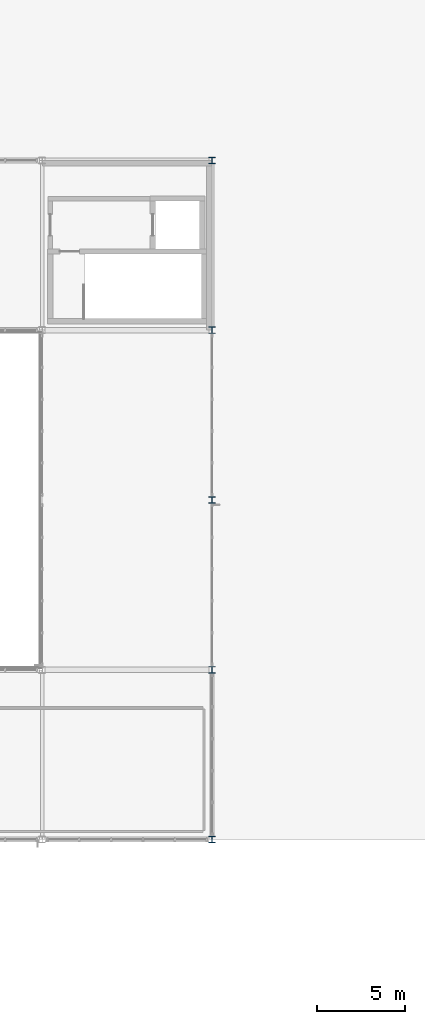
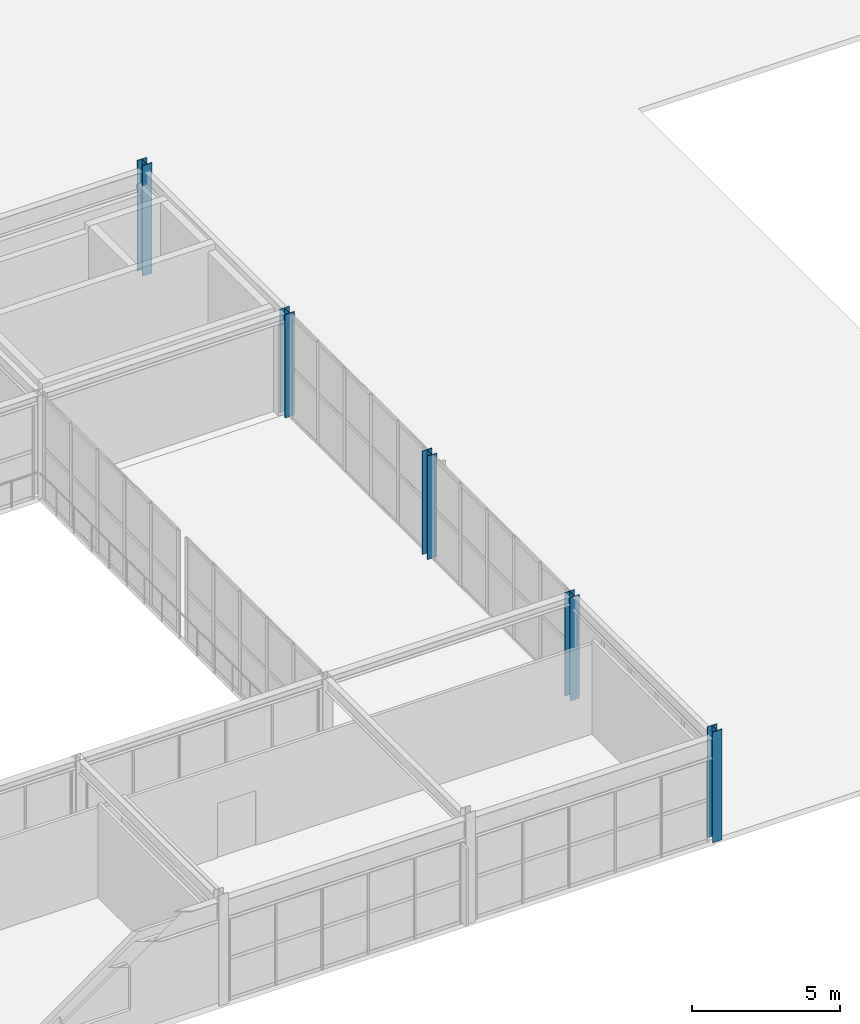
# One storey, part 14 of 170: 5 columns.
"""IFC4 building model written with IfcOpenShell, lengths in metres."""

from ifc_helpers import new_model, si_unit, direction, frame, origin, origin_2d, place, context, subcontext, project, spatial, i_section, extrude, material, material_profile, profile_set, type_object, element, save


model = new_model("IFC4")

# Units and contexts
model_context = context("Model", 3, precision=1e-05, world=origin(), true_north=direction((0.0, 1.0)))
body_context = subcontext(model_context, "Body", "Model", "MODEL_VIEW")
ifc_project = project(units=[si_unit("LENGTHUNIT", "METRE"), si_unit("AREAUNIT", "SQUARE_METRE"), si_unit("VOLUMEUNIT", "CUBIC_METRE"), si_unit("PLANEANGLEUNIT", "RADIAN"), si_unit("MASSUNIT", "GRAM", prefix="KILO")], contexts=[model_context])

# Site, building, storey
site_placement = place(None, origin())
site = spatial("IfcSite", under=ifc_project, at=site_placement, CompositionType="ELEMENT")
building_placement = place(site_placement, origin())
building = spatial("IfcBuilding", under=site, at=building_placement, Name="Coralgate Yard Interchange", CompositionType="ELEMENT")
storey_placement = place(building_placement, frame((0.0, 0.0, 6.0)))
storey = spatial("IfcBuildingStorey", under=building, at=storey_placement, Name="L01", CompositionType="ELEMENT", Elevation=6.0)

# Columns
ifc_material = material(Name="Structural steel S355J2", Category="steel")
ifc_material_profile = material_profile(ifc_material, i_section(OverallWidth=0.37255859375, OverallDepth=0.3681640625, WebThickness=0.014404296875, FlangeThickness=0.023681640625, FilletRadius=0.01513671875, at=origin_2d()), Name="UC 356x368x177")
ifc_profile_set = profile_set([ifc_material_profile], Name="Structural steel S355J2")
column_type = type_object("IfcColumnType", Name="COL-SC-3", PredefinedType="COLUMN", material=ifc_profile_set)
column_1_placement = place(storey_placement, frame((134.39990234375, 38.39990234375, 0.0), z_axis=(0.0, 0.0, 1.0), x_axis=(1.0, 0.0, 0.0)))
element("IfcColumn", 1, at=column_1_placement, inside=storey, type_object=column_type, Name="L01 structural column 14-4", PredefinedType="COLUMN", context=body_context, shape_type="SweptSolid", body=[
    extrude(i_section(OverallWidth=0.37255859375, OverallDepth=0.3681640625, WebThickness=0.014404296875, FlangeThickness=0.023681640625, FilletRadius=0.01513671875, at=origin_2d()), origin(), (0.0, 0.0, 1.0), 4.550048828125),
])
for number, where, z_axis, x_axis, name in (
    (2, (134.39990234375, 48.0, 0.0), (0.0, 0.0, 1.0), (1.0, 0.0, 0.0), "L01 structural column 14-5"),
    (3, (134.39990234375, 57.60009765625, 0.0), (0.0, 0.0, 1.0), (1.0, 0.0, 0.0), "L01 structural column 14-6"),
    (4, (134.39990234375, 67.199951171875, 0.0), (0.0, 0.0, 1.0), (1.0, 0.0, 0.0), "L01 structural column 14-7"),
):
    element("IfcColumn", number, at=place(storey_placement, frame(where, z_axis=z_axis, x_axis=x_axis)), inside=storey, type_object=column_type, Name=name, PredefinedType="COLUMN", context=body_context, shape_type="SweptSolid", body=[
        extrude(i_section(OverallWidth=0.37255859375, OverallDepth=0.3681640625, WebThickness=0.014404296875, FlangeThickness=0.023681640625, FilletRadius=0.01513671875, at=origin_2d()), origin(), (0.0, 0.0, 1.0), 4.25),
    ])
column_2_placement = place(storey_placement, frame((134.39990234375, 76.800048828125, 0.0), z_axis=(0.0, 0.0, 1.0), x_axis=(1.0, 0.0, 0.0)))
element("IfcColumn", 5, at=column_2_placement, inside=storey, type_object=column_type, Name="L01 structural column 14-8", PredefinedType="COLUMN", context=body_context, shape_type="SweptSolid", body=[
    extrude(i_section(OverallWidth=0.37255859375, OverallDepth=0.3681640625, WebThickness=0.014404296875, FlangeThickness=0.023681640625, FilletRadius=0.01513671875, at=origin_2d()), origin(), (0.0, 0.0, 1.0), 4.550048828125),
])

save(model, "model.ifc")
